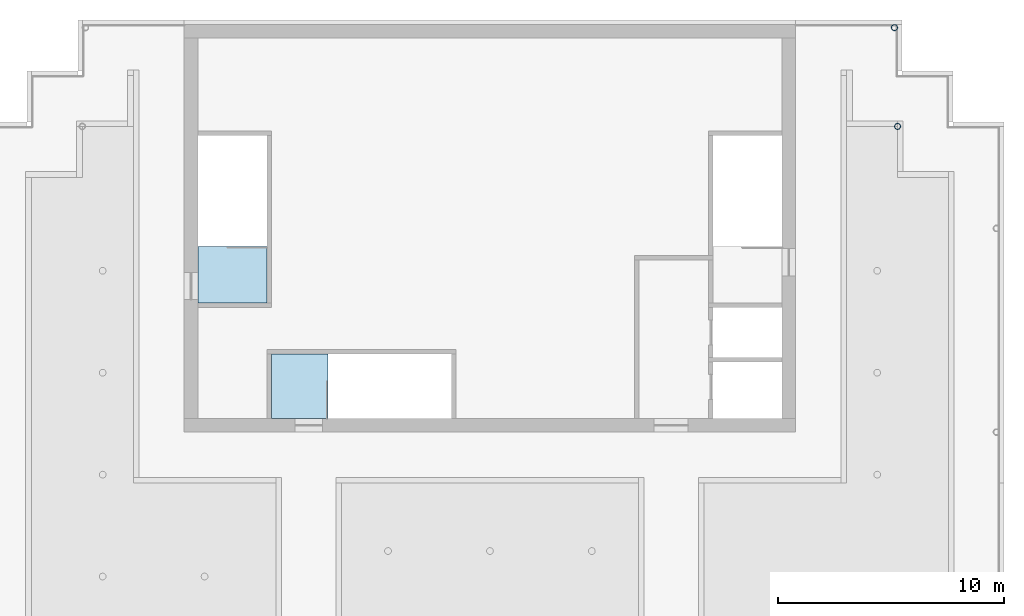
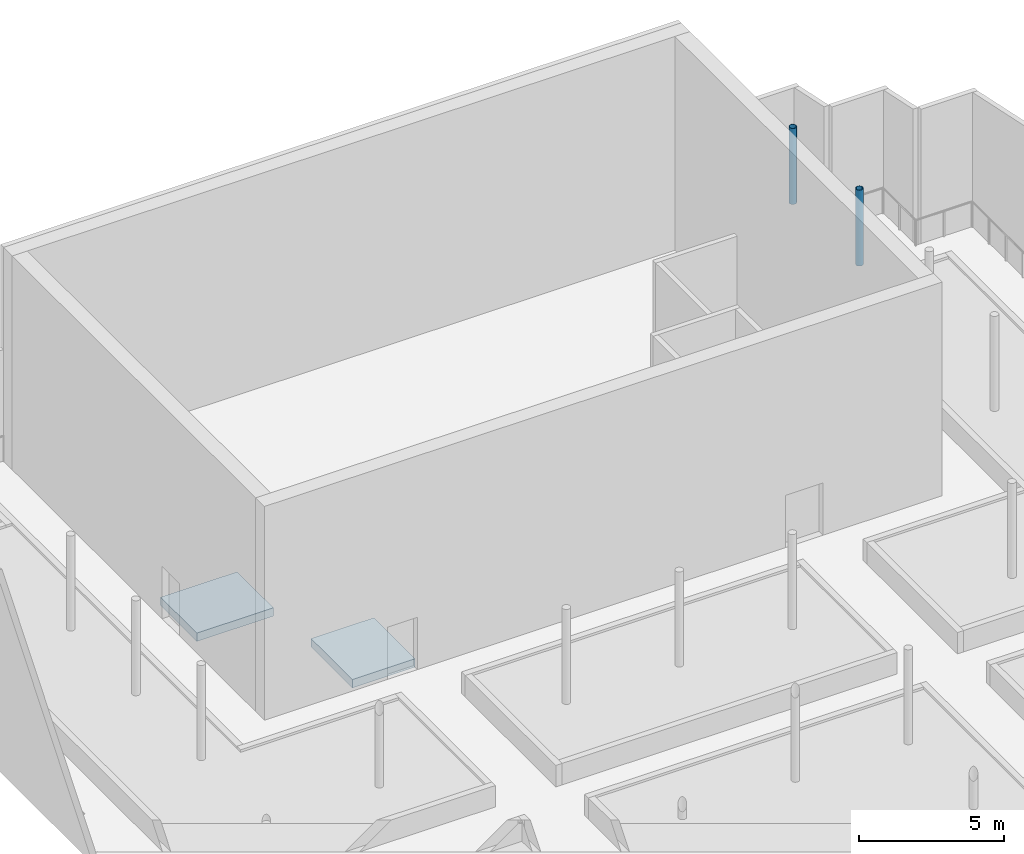
# One storey, part 5 of 9: 2 columns, 2 slabs.
"""IFC4 building model written with IfcOpenShell, lengths in metres."""

from ifc_helpers import new_model, si_unit, direction, frame, origin, origin_2d, place, context, subcontext, project, spatial, polyline, hollow_circle, outline, extrude, material, layer, layer_set, material_profile, profile_set, type_object, element, save


model = new_model("IFC4")

# Units and contexts
model_context = context("Model", 3, precision=1e-05, world=origin(), true_north=direction((0.0, 1.0)))
body_context = subcontext(model_context, "Body", "Model", "MODEL_VIEW")
ifc_project = project(units=[si_unit("LENGTHUNIT", "METRE"), si_unit("AREAUNIT", "SQUARE_METRE"), si_unit("VOLUMEUNIT", "CUBIC_METRE"), si_unit("PLANEANGLEUNIT", "RADIAN"), si_unit("MASSUNIT", "GRAM", prefix="KILO")], contexts=[model_context])

# Site, building, storey
site_placement = place(None, origin())
site = spatial("IfcSite", under=ifc_project, at=site_placement, CompositionType="ELEMENT")
building_placement = place(site_placement, origin())
building = spatial("IfcBuilding", under=site, at=building_placement, Name="Orbiselva Terraces", CompositionType="ELEMENT")
storey_placement = place(building_placement, frame((0.0, 0.0, 303.4)))
storey = spatial("IfcBuildingStorey", under=building, at=storey_placement, Name="L75", CompositionType="ELEMENT", Elevation=303.4)

# Columns
ifc_material_1 = material(Name="Steel ASTM A500 Grade C", Category="steel")
ifc_material_profile = material_profile(ifc_material_1, hollow_circle(Radius=0.13655, WallThickness=0.0127, at=origin_2d()), Name="HSS273.1X12.7")
ifc_profile_set = profile_set([ifc_material_profile], Name="Steel ASTM A500 Grade C")
column_type = type_object("IfcColumnType", Name="CANOPY COLUMN HSS273.1X12.7", PredefinedType="COLUMN", material=ifc_profile_set)
for number, where, z_axis, x_axis, name in (
    (1, (17.86345, 22.36345, 0.0), (0.0, 0.0, 1.0), (1.0, 0.0, 0.0), "Canopy column L75-12"),
    (2, (18.0, 18.0, 0.0), (0.0, 0.0, 1.0), (1.0, 0.0, 0.0), "Canopy column L75-17"),
):
    element("IfcColumn", number, at=place(storey_placement, frame(where, z_axis=z_axis, x_axis=x_axis)), inside=storey, type_object=column_type, Name=name, PredefinedType="COLUMN", context=body_context, shape_type="SweptSolid", body=[
        extrude(hollow_circle(Radius=0.13655, WallThickness=0.0127, at=origin_2d()), origin(), (0.0, 0.0, 1.0), 3.2),
    ])

# Slabs
ifc_material_2 = material(Name="Concrete C40/50", Category="concrete")
ifc_layer = layer(ifc_material_2, 0.35)
ifc_layer_set = layer_set([ifc_layer], Name="Concrete C40/50")
slab_type = type_object("IfcSlabType", Name="CORE-SLAB-ROOF-350", PredefinedType="ROOF", material=ifc_layer_set)
slab_1_placement = place(storey_placement, frame((0.0, 0.0, -0.35)))
element("IfcSlab", 3, at=slab_1_placement, inside=storey, type_object=slab_type, Name="L75 S1 roof landing", PredefinedType="ROOF", context=body_context, shape_type="SweptSolid", body=[
    extrude(outline(polyline([(-12.9, 12.7), (-9.85, 12.7), (-9.85, 10.2), (-12.9, 10.2), (-12.9, 12.7)])), origin(), (0.0, 0.0, 1.0), 0.35),
])
slab_2_placement = place(storey_placement, frame((0.0, 0.0, -0.35)))
element("IfcSlab", 4, at=slab_2_placement, inside=storey, type_object=slab_type, Name="L75 S3 roof landing", PredefinedType="ROOF", context=body_context, shape_type="SweptSolid", body=[
    extrude(outline(polyline([(-7.15, 5.1), (-9.65, 5.1), (-9.65, 7.95), (-7.15, 7.95), (-7.15, 5.1)])), origin(), (0.0, 0.0, 1.0), 0.35),
])

save(model, "model.ifc")
